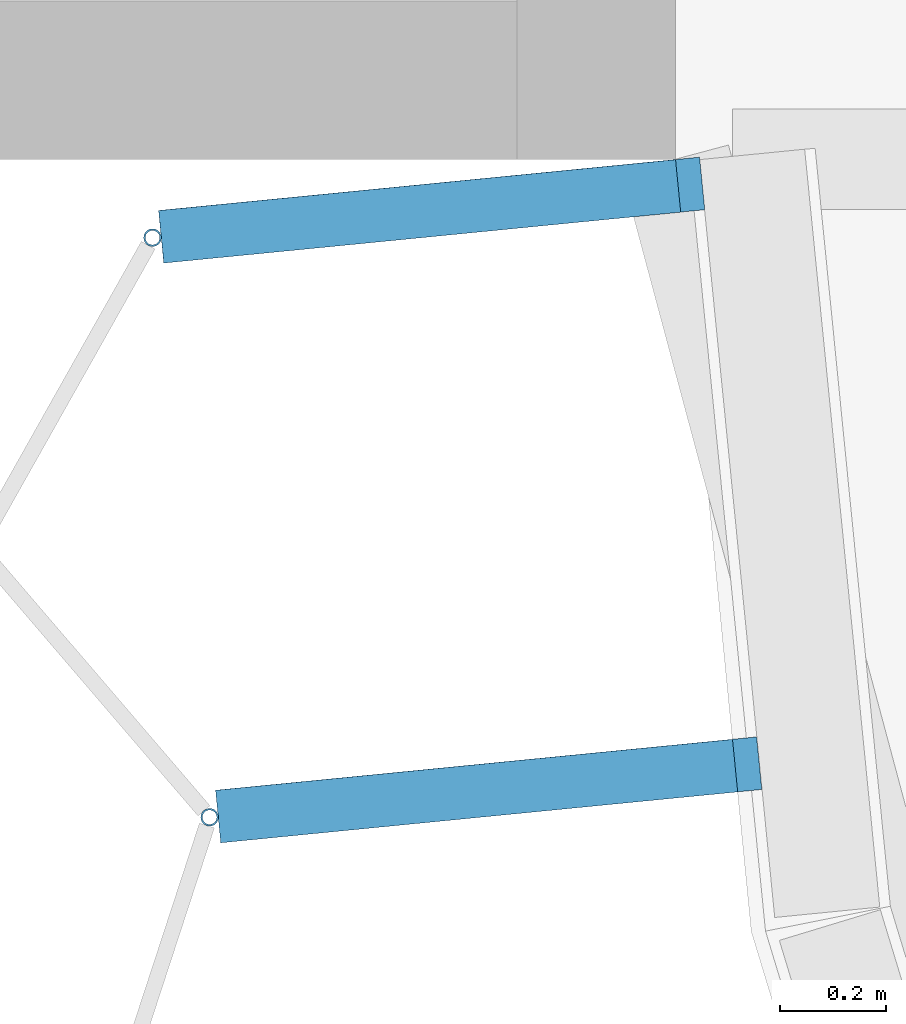
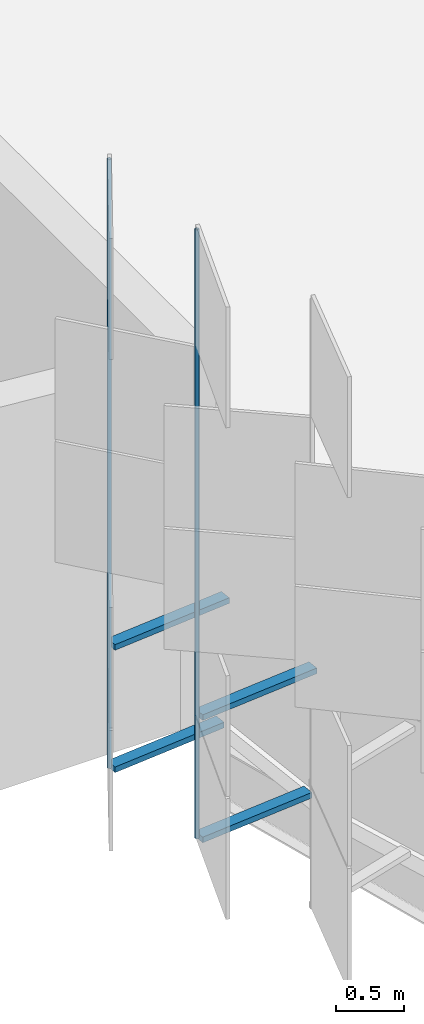
# One storey, part 136 of 483: 6 discrete accessories.
"""IFC4 building model written with IfcOpenShell, lengths in metres."""

import ifcopenshell
import ifcopenshell.guid

model = None  # the IFC model being written
_history = None  # IfcOwnerHistory: only IFC2X3 demands one
_inside = {}  # id of a spatial element -> (the spatial element, [elements in it])
_under = {}  # id of a project, library or spatial element -> (it, [spatial elements below it])
_declared = {}  # id of a project -> (the project, [libraries it declares])
_typed = {}  # id of a type object -> (the type object, [elements of that type])
_made_of = {}  # id of a material, layer set ... -> (it, [elements and type objects made of it])


def new_model(schema):
    """Start an empty IFC model of exactly this schema.

    Asked for "IFC4X3", IfcOpenShell would pick the latest addendum, in which some entities
    have other attributes; the version numbers below select the first issue.
    IFC2X3 requires an IfcOwnerHistory on every rooted entity: one is made here for all.
    """
    global model, _history
    if schema == "IFC4X3":
        model = ifcopenshell.file(schema_version=(4, 3, 0, 0))
    else:
        model = ifcopenshell.file(schema=schema)
    _inside.clear()
    _under.clear()
    _declared.clear()
    _typed.clear()
    _made_of.clear()
    _history = None
    if model.schema == "IFC2X3":
        org = make("IfcOrganization", Name="unknown")
        user = make(
            "IfcPersonAndOrganization",
            ThePerson=make("IfcPerson", FamilyName="unknown"),
            TheOrganization=org,
        )
        app = make(
            "IfcApplication",
            ApplicationDeveloper=org,
            Version="unknown",
            ApplicationFullName="unknown",
            ApplicationIdentifier="unknown",
        )
        _history = make(
            "IfcOwnerHistory",
            OwningUser=user,
            OwningApplication=app,
            ChangeAction="ADDED",
            CreationDate=0,
        )
    return model


def make(cls, **values):
    """One entity of the class cls with the attributes given. An attribute that is None is left unset."""
    return model.create_entity(
        cls, **{name: value for name, value in values.items() if value is not None}
    )


def rooted(cls, **values):
    """An entity with a GlobalId (a new one), such as an element, a storey or a relation."""
    return make(cls, GlobalId=ifcopenshell.guid.new(), OwnerHistory=_history, **values)


def si_unit(unit_type, name, prefix=None):
    """IfcSIUnit, for example si_unit("LENGTHUNIT", "METRE", prefix="MILLI")."""
    return make("IfcSIUnit", UnitType=unit_type, Prefix=prefix, Name=name)


def assignment(units):
    """IfcUnitAssignment: the units of a project."""
    return None if units is None else make("IfcUnitAssignment", Units=units)


def point(xyz):
    """IfcCartesianPoint."""
    return None if xyz is None else make("IfcCartesianPoint", Coordinates=xyz)


def direction(xyz):
    """IfcDirection."""
    return None if xyz is None else make("IfcDirection", DirectionRatios=xyz)


def frame(location, z_axis=None, x_axis=None):
    """IfcAxis2Placement3D, a coordinate frame: its origin and axes. An axis left out is left unset."""
    return make(
        "IfcAxis2Placement3D",
        Location=point(location),
        Axis=direction(z_axis),
        RefDirection=direction(x_axis),
    )


def frame_2d(location, x_axis=None):
    """IfcAxis2Placement2D, a coordinate frame in the plane: its origin and x axis."""
    return make(
        "IfcAxis2Placement2D", Location=point(location), RefDirection=direction(x_axis)
    )


def origin():
    """The frame at (0, 0, 0) with its axes left unset."""
    return frame((0.0, 0.0, 0.0))


def origin_2d():
    """The frame at (0, 0) in the plane with its x axis left unset."""
    return frame_2d((0.0, 0.0))


def place(relative_to, where):
    """IfcLocalPlacement: puts the frame where relative to a parent placement (None: the world)."""
    return make(
        "IfcLocalPlacement", PlacementRelTo=relative_to, RelativePlacement=where
    )


def context(
    kind, dimensions, precision=None, world=None, true_north=None, identifier=None
):
    """IfcGeometricRepresentationContext, for example the 3D "Model" context."""
    return make(
        "IfcGeometricRepresentationContext",
        ContextIdentifier=identifier,
        ContextType=kind,
        CoordinateSpaceDimension=dimensions,
        Precision=precision,
        WorldCoordinateSystem=world,
        TrueNorth=true_north,
    )


def subcontext(parent, identifier, kind, view, scale=None):
    """IfcGeometricRepresentationSubContext, for example "Body" below "Model"."""
    return make(
        "IfcGeometricRepresentationSubContext",
        ContextIdentifier=identifier,
        ContextType=kind,
        ParentContext=parent,
        TargetScale=scale,
        TargetView=view,
    )


def project(units=None, contexts=None):
    """IfcProject with its units and contexts."""
    return rooted(
        "IfcProject",
        Name="project",
        RepresentationContexts=contexts,
        UnitsInContext=assignment(units),
    )


def spatial(cls, under=None, at=None, **own):
    """A site, building, storey or space (cls), placed at a placement, below another one or the project."""
    s = rooted(cls, ObjectPlacement=at, **own)
    if under is not None:
        _under.setdefault(under.id(), (under, []))[1].append(s)
    return s


def profile(cls, at=None, kind="AREA", **sizes):
    """A parametric profile (cls). Its sizes go by their IFC names, for example OverallWidth=200.0."""
    return make(cls, ProfileType=kind, Position=at, **sizes)


def rectangle(**sizes):
    """IfcRectangleProfileDef."""
    return profile("IfcRectangleProfileDef", **sizes)


def hollow_circle(**sizes):
    """IfcCircleHollowProfileDef."""
    return profile("IfcCircleHollowProfileDef", **sizes)


def extrude(swept, where, along, depth):
    """IfcExtrudedAreaSolid: the profile swept, set in the frame where, extruded along a direction by depth."""
    return make(
        "IfcExtrudedAreaSolid",
        SweptArea=swept,
        Position=where,
        ExtrudedDirection=direction(along),
        Depth=depth,
    )


def shape(context_of_items, identifier, shape_type, items):
    """IfcShapeRepresentation: the items that make up one representation, for example the "Body"."""
    return make(
        "IfcShapeRepresentation",
        ContextOfItems=context_of_items,
        RepresentationIdentifier=identifier,
        RepresentationType=shape_type,
        Items=items,
    )


def material(Name=None, Category=None):
    """IfcMaterial."""
    return make("IfcMaterial", Name=Name, Category=Category)


def material_profile(
    of_material, cross_section, Name=None, Category=None, Priority=None
):
    """IfcMaterialProfile: a cross section and its material."""
    return make(
        "IfcMaterialProfile",
        Name=Name,
        Material=of_material,
        Profile=cross_section,
        Priority=Priority,
        Category=Category,
    )


def profile_set(profiles, Name=None, composite=None):
    """IfcMaterialProfileSet."""
    return make(
        "IfcMaterialProfileSet",
        Name=Name,
        MaterialProfiles=profiles,
        CompositeProfile=composite,
    )


def made_of(thing, what):
    """Note that an element or type object is made of a material, layer set ...; save() writes the relation."""
    if what is not None:
        _made_of.setdefault(what.id(), (what, []))[1].append(thing)
    return thing


def type_object(cls, material=None, **own):
    """A type object (cls), such as IfcWallType, which elements share."""
    return made_of(rooted(cls, **own), material)


def element(
    cls,
    number,
    at=None,
    inside=None,
    cuts=None,
    type_object=None,
    material=None,
    context=None,
    identifier="Body",
    shape_type=None,
    held_by="IfcProductDefinitionShape",
    body=None,
    shapes=None,
    **own,
):
    """One element of the class cls, such as IfcWall. Its Tag is "e" and its number.

    at: its placement. inside: the storey or other place that contains it. cuts: it is an
    opening in that element (IfcRelVoidsElement). A single representation is given by context,
    identifier, shape_type and body (its items); several are given by shapes. held_by: the class
    of the entity that holds the representations. save() writes the other relations.
    """
    e = rooted(cls, Tag="e%d" % number, ObjectPlacement=at, **own)
    if body is not None:
        shapes = [shape(context, identifier, shape_type, body)]
    if shapes is not None:
        e.Representation = make(held_by, Representations=shapes)
    if inside is not None:
        _inside.setdefault(inside.id(), (inside, []))[1].append(e)
    if cuts is not None:
        rooted(
            "IfcRelVoidsElement", RelatingBuildingElement=cuts, RelatedOpeningElement=e
        )
    if type_object is not None:
        _typed.setdefault(type_object.id(), (type_object, []))[1].append(e)
    return made_of(e, material)


def aggregate(whole, parts):
    """IfcRelAggregates: a whole, such as a stair, and the parts it consists of."""
    return rooted("IfcRelAggregates", RelatingObject=whole, RelatedObjects=parts)


def save(model, path):
    """Write the relations noted so far, then the file.

    IfcRelAggregates (storeys below a building ...), IfcRelContainedInSpatialStructure (elements
    in a storey), IfcRelDefinesByType, IfcRelAssociatesMaterial and IfcRelDeclares: one each for
    every whole, place, type object, material and project.
    """
    for whole, parts in _under.values():
        aggregate(whole, parts)
    for where, things in _inside.values():
        rooted(
            "IfcRelContainedInSpatialStructure",
            RelatedElements=things,
            RelatingStructure=where,
        )
    for kind, things in _typed.values():
        rooted("IfcRelDefinesByType", RelatedObjects=things, RelatingType=kind)
    for what, things in _made_of.values():
        rooted("IfcRelAssociatesMaterial", RelatedObjects=things, RelatingMaterial=what)
    for by, libraries in _declared.values():
        rooted("IfcRelDeclares", RelatingContext=by, RelatedDefinitions=libraries)
    model.write(path)


model = new_model("IFC4")

# Units and contexts
model_context = context("Model", 3, precision=1e-05, world=origin(), true_north=direction((0.0, 1.0)))
body_context = subcontext(model_context, "Body", "Model", "MODEL_VIEW")
ifc_project = project(units=[si_unit("LENGTHUNIT", "METRE"), si_unit("AREAUNIT", "SQUARE_METRE"), si_unit("VOLUMEUNIT", "CUBIC_METRE"), si_unit("PLANEANGLEUNIT", "RADIAN"), si_unit("MASSUNIT", "GRAM", prefix="KILO")], contexts=[model_context])

# Site, building, storey
site_placement = place(None, origin())
site = spatial("IfcSite", under=ifc_project, at=site_placement, CompositionType="ELEMENT")
building_placement = place(site_placement, origin())
building = spatial("IfcBuilding", under=site, at=building_placement, Name="Parallax Yard Mobility Hub", CompositionType="ELEMENT")
storey_placement = place(building_placement, frame((0.0, 0.0, 13.199951171875)))
storey = spatial("IfcBuildingStorey", under=building, at=storey_placement, Name="L04", CompositionType="ELEMENT", Elevation=13.199951171875)

# Discrete accessories
ifc_material_1 = material(Name="Steel ASTM A36, hot-dip galvanised", Category="steel")
discrete_accessory_type_1 = type_object("IfcDiscreteAccessoryType", Name="Hinge bracket plate 100x50", PredefinedType="BRACKET", material=ifc_material_1)
discrete_accessory_1_placement = place(storey_placement, frame((22.015869140625, 119.9013671875, -0.02490234375), z_axis=(0.0, 0.0, 1.0), x_axis=(-0.995184726672, -0.09801714033, 0.0)))
element("IfcDiscreteAccessory", 1, at=discrete_accessory_1_placement, inside=storey, type_object=discrete_accessory_type_1, Name="Hinge bracket plate bay 72.1 level L04", PredefinedType="BRACKET", context=body_context, shape_type="SweptSolid", body=[
    extrude(rectangle(XDim=0.984130859375, YDim=0.10009765625, at=origin_2d()), origin(), (0.0, 0.0, 1.0), 0.050048828125),
])
discrete_accessory_2_placement = place(storey_placement, frame((22.03857421875, 119.90380859375, 1.06982421875), z_axis=(0.0, 0.0, 1.0), x_axis=(-0.995184726672, -0.09801714033, 0.0)))
element("IfcDiscreteAccessory", 2, at=discrete_accessory_2_placement, inside=storey, type_object=discrete_accessory_type_1, Name="Hinge bracket plate bay 72.1 level L04", PredefinedType="BRACKET", context=body_context, shape_type="SweptSolid", body=[
    extrude(rectangle(XDim=1.030029296875, YDim=0.10009765625, at=origin_2d()), origin(), (0.0, 0.0, 1.0), 0.050048828125),
])
discrete_accessory_3_placement = place(storey_placement, frame((22.123779296875, 118.802978515625, -0.02490234375), z_axis=(0.0, 0.0, 1.0), x_axis=(-0.995184726672, -0.09801714033, 0.0)))
element("IfcDiscreteAccessory", 3, at=discrete_accessory_3_placement, inside=storey, type_object=discrete_accessory_type_1, Name="Hinge bracket plate bay 72.2 level L04", PredefinedType="BRACKET", context=body_context, shape_type="SweptSolid", body=[
    extrude(rectangle(XDim=0.984130859375, YDim=0.10009765625, at=origin_2d()), origin(), (0.0, 0.0, 1.0), 0.050048828125),
])
discrete_accessory_4_placement = place(storey_placement, frame((22.146728515625, 118.805419921875, 1.06982421875), z_axis=(0.0, 0.0, 1.0), x_axis=(-0.995184726672, -0.09801714033, 0.0)))
element("IfcDiscreteAccessory", 4, at=discrete_accessory_4_placement, inside=storey, type_object=discrete_accessory_type_1, Name="Hinge bracket plate bay 72.2 level L04", PredefinedType="BRACKET", context=body_context, shape_type="SweptSolid", body=[
    extrude(rectangle(XDim=1.030029296875, YDim=0.10009765625, at=origin_2d()), origin(), (0.0, 0.0, 1.0), 0.050048828125),
])
ifc_material_2 = material(Name="Steel ASTM A500 Gr C, hot-dip galvanised", Category="steel")
ifc_material_profile = material_profile(ifc_material_2, hollow_circle(Radius=0.016845703125, WallThickness=0.003173828125, at=origin_2d()), Name="CHS 33.7x3.2")
ifc_profile_set = profile_set([ifc_material_profile], Name="Steel ASTM A500 Gr C, hot-dip galvanised")
discrete_accessory_type_2 = type_object("IfcDiscreteAccessoryType", Name="Hinge post CHS 33.7x3.2", PredefinedType="BRACKET", material=ifc_profile_set)
for number, where, z_axis, x_axis, name in (
    (5, (21.509765625, 119.8515625, 0.0), (0.0, 0.0, 1.0), (1.0, 0.0, 0.0), "Hinge post bay 72.1 level L04"),
    (6, (21.617919921875, 118.75341796875, 0.0), (0.0, 0.0, 1.0), (1.0, 0.0, 0.0), "Hinge post bay 72.2 level L04"),
):
    element("IfcDiscreteAccessory", number, at=place(storey_placement, frame(where, z_axis=z_axis, x_axis=x_axis)), inside=storey, type_object=discrete_accessory_type_2, Name=name, PredefinedType="BRACKET", context=body_context, shape_type="SweptSolid", body=[
        extrude(hollow_circle(Radius=0.016845703125, WallThickness=0.003173828125, at=origin_2d()), origin(), (0.0, 0.0, 1.0), 5.449951171875),
    ])

save(model, "model.ifc")
